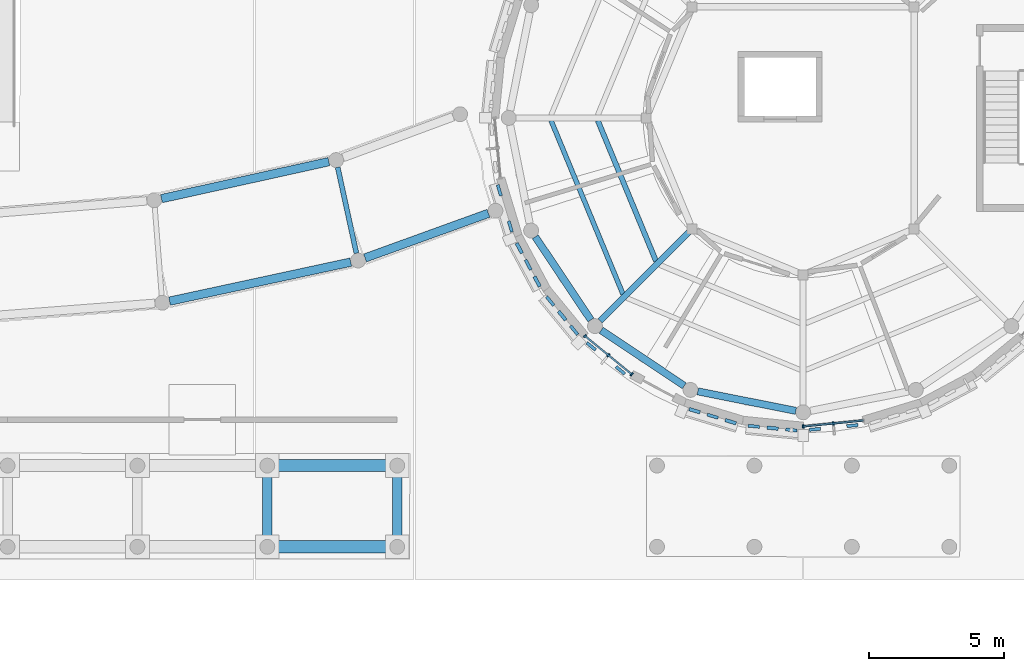
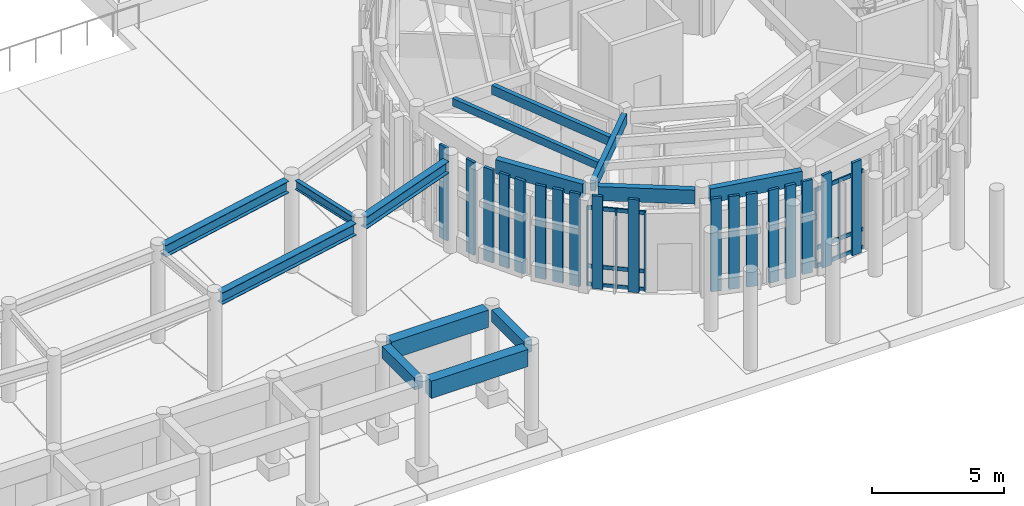
# One storey, part 24 of 94: 29 members, 14 beams, 2 elements without a shape of their own.
"""IFC4 building model written with IfcOpenShell, lengths in metres."""

from ifc_helpers import new_model, si_unit, direction, frame, origin, origin_2d, place, context, subcontext, project, spatial, rectangle, i_section, extrude, material, layer, layer_set, material_profile, profile_set, type_object, element, aggregate, save


model = new_model("IFC4")

# Units and contexts
model_context = context("Model", 3, precision=1e-05, world=origin(), true_north=direction((0.0, 1.0)))
body_context = subcontext(model_context, "Body", "Model", "MODEL_VIEW")
ifc_project = project(units=[si_unit("LENGTHUNIT", "METRE"), si_unit("AREAUNIT", "SQUARE_METRE"), si_unit("VOLUMEUNIT", "CUBIC_METRE"), si_unit("PLANEANGLEUNIT", "RADIAN"), si_unit("MASSUNIT", "GRAM", prefix="KILO")], contexts=[model_context])

# Site, building, storey
site_placement = place(None, origin())
site = spatial("IfcSite", under=ifc_project, at=site_placement, CompositionType="ELEMENT")
building_placement = place(site_placement, origin())
building = spatial("IfcBuilding", under=site, at=building_placement, Name="Aldenvaro Health Centre", CompositionType="ELEMENT")
storey_placement = place(building_placement, origin())
storey = spatial("IfcBuildingStorey", under=building, at=storey_placement, Name="L00", CompositionType="ELEMENT", Elevation=0.0)

# Beams
ifc_material_1 = material(Name="Glulam GL28h", Category="wood")
ifc_material_profile_1 = material_profile(ifc_material_1, rectangle(XDim=0.175048828125, YDim=0.35009765625, at=origin_2d()), Name="GL 175x350", Category="wood")
ifc_profile_set_1 = profile_set([ifc_material_profile_1], Name="Glulam GL28h")
beam_type_1 = type_object("IfcBeamType", Name="BM-GL-350", PredefinedType="JOIST", material=ifc_profile_set_1)
beam_1_placement = place(storey_placement, frame((145.18505859375, 18.40087890625, 4.1298828125), z_axis=(0.382677753705, -0.923881884669, 0.0), x_axis=(0.923881884669, 0.382677753705, 0.0)))
element("IfcBeam", 1, at=beam_1_placement, inside=storey, type_object=beam_type_1, Name="D6 L00 secondary joist 03.2", PredefinedType="JOIST", context=body_context, shape_type="SweptSolid", body=[
    extrude(rectangle(XDim=0.175048828125, YDim=0.35009765625, at=origin_2d()), origin(), (0.0, 0.0, 1.0), 6.94580078125),
])
ifc_material_profile_2 = material_profile(ifc_material_1, rectangle(XDim=0.18994140625, YDim=0.41796875, at=origin_2d()), Name="GL 190x418", Category="wood")
ifc_profile_set_2 = profile_set([ifc_material_profile_2], Name="Glulam GL28h")
beam_type_2 = type_object("IfcBeamType", Name="BM-GL-418", PredefinedType="JOIST", material=ifc_profile_set_2)
beam_2_placement = place(storey_placement, frame((146.912109375, 18.40087890625, 4.095947265625), z_axis=(0.382783729155, -0.923837981842, 0.0), x_axis=(0.923837981842, 0.382783729155, 0.0)))
element("IfcBeam", 2, at=beam_2_placement, inside=storey, type_object=beam_type_2, Name="D6 L00 secondary joist 03.1", PredefinedType="JOIST", context=body_context, shape_type="SweptSolid", body=[
    extrude(rectangle(XDim=0.18994140625, YDim=0.41796875, at=origin_2d()), origin(), (0.0, 0.0, 1.0), 5.624267578125),
])
ifc_material_profile_3 = material_profile(ifc_material_1, rectangle(XDim=0.215087890625, YDim=0.493896484375, at=origin_2d()), Name="GL 215x494", Category="wood")
ifc_profile_set_3 = profile_set([ifc_material_profile_3], Name="Glulam GL28h")
beam_type_3 = type_object("IfcBeamType", Name="BM-GL-494", PredefinedType="BEAM", material=ifc_profile_set_3)
beam_3_placement = place(storey_placement, frame((150.27001953125, 14.27001953125, 4.05810546875), z_axis=(-0.707106781187, -0.707106781187, 0.0), x_axis=(0.707106781187, -0.707106781187, 0.0)))
element("IfcBeam", 3, at=beam_3_placement, inside=storey, type_object=beam_type_3, Name="D6 L00 radial beam 04", PredefinedType="BEAM", context=body_context, shape_type="SweptSolid", body=[
    extrude(rectangle(XDim=0.215087890625, YDim=0.493896484375, at=origin_2d()), origin(), (0.0, 0.0, 1.0), 4.623046875),
])
ifc_material_profile_4 = material_profile(ifc_material_1, rectangle(XDim=0.264892578125, YDim=0.64599609375, at=origin_2d()), Name="GL 265x646", Category="wood")
ifc_profile_set_4 = profile_set([ifc_material_profile_4], Name="Glulam GL28h")
beam_type_4 = type_object("IfcBeamType", Name="BM-GL-646", PredefinedType="SPANDREL", material=ifc_profile_set_4)
for number, where, z_axis, x_axis, name in (
    (4, (144.60107421875, 14.10693359375, 3.98193359375), (0.555752111176, -0.831348056426, 0.0), (0.831348056426, 0.555752111176, 0.0), "D6 L00 perimeter spandrel 10"),
    (5, (147.035888671875, 10.654052734375, 3.98193359375), (0.831348056426, -0.555752111176, 0.0), (0.555752111176, 0.831348056426, 0.0), "D6 L00 perimeter spandrel 11"),
):
    element("IfcBeam", number, at=place(storey_placement, frame(where, z_axis=z_axis, x_axis=x_axis)), inside=storey, type_object=beam_type_4, Name=name, PredefinedType="SPANDREL", context=body_context, shape_type="SweptSolid", body=[
        extrude(rectangle(XDim=0.264892578125, YDim=0.64599609375, at=origin_2d()), origin(), (0.0, 0.0, 1.0), 3.694091796875),
    ])
beam_4_placement = place(storey_placement, frame((150.60595703125, 8.39404296875, 3.98193359375), z_axis=(0.980831465661, -0.194857989237, 0.0), x_axis=(0.194857989237, 0.980831465661, 0.0)))
element("IfcBeam", 6, at=beam_4_placement, inside=storey, type_object=beam_type_4, Name="D6 L00 perimeter spandrel 12", PredefinedType="SPANDREL", context=body_context, shape_type="SweptSolid", body=[
    extrude(rectangle(XDim=0.264892578125, YDim=0.64599609375, at=origin_2d()), origin(), (0.0, 0.0, 1.0), 3.69482421875),
])
ifc_material_2 = material(Name="Concrete f'c 40 MPa", Category="concrete")
ifc_material_profile_5 = material_profile(ifc_material_2, rectangle(XDim=0.35009765625, YDim=0.56005859375, at=origin_2d()), Name="RC 350x560", Category="concrete")
ifc_profile_set_5 = profile_set([ifc_material_profile_5], Name="Concrete f'c 40 MPa")
beam_type_5 = type_object("IfcBeamType", Name="BM-RC-560E", PredefinedType="JOIST", material=ifc_profile_set_5)
for number, where, z_axis, x_axis, name in (
    (7, (134.699951171875, 2.925048828125, 4.1201171875), (0.0, 1.0, 0.0), (-1.0, 0.0, 0.0), "South Stoa E Transverse Beam L00-8"),
    (8, (139.5, 2.925048828125, 4.1201171875), (0.0, 1.0, 0.0), (-1.0, 0.0, 0.0), "South Stoa E Transverse Beam L00-9"),
):
    element("IfcBeam", number, at=place(storey_placement, frame(where, z_axis=z_axis, x_axis=x_axis)), inside=storey, type_object=beam_type_5, Name=name, PredefinedType="JOIST", context=body_context, shape_type="SweptSolid", body=[
        extrude(rectangle(XDim=0.35009765625, YDim=0.56005859375, at=origin_2d()), origin(), (0.0, 0.0, 1.0), 2.449951171875),
    ])
ifc_material_profile_6 = material_profile(ifc_material_2, rectangle(XDim=0.449951171875, YDim=0.800048828125, at=origin_2d()), Name="RC 450x800", Category="concrete")
ifc_profile_set_6 = profile_set([ifc_material_profile_6], Name="Concrete f'c 40 MPa")
beam_type_6 = type_object("IfcBeamType", Name="BM-RC-800", PredefinedType="SPANDREL", material=ifc_profile_set_6)
for number, where, z_axis, x_axis, name in (
    (9, (134.97509765625, 2.64990234375, 4.0), (1.0, 0.0, 0.0), (0.0, 1.0, 0.0), "South Stoa E Classical Architrave L00-8.1"),
    (10, (134.97509765625, 5.64990234375, 4.0), (1.0, 0.0, 0.0), (0.0, 1.0, 0.0), "South Stoa E Classical Architrave L00-8.2"),
):
    element("IfcBeam", number, at=place(storey_placement, frame(where, z_axis=z_axis, x_axis=x_axis)), inside=storey, type_object=beam_type_6, Name=name, PredefinedType="SPANDREL", context=body_context, shape_type="SweptSolid", body=[
        extrude(rectangle(XDim=0.449951171875, YDim=0.800048828125, at=origin_2d()), origin(), (0.0, 0.0, 1.0), 4.25),
    ])
ifc_material_3 = material(Name="Steel ASTM A992 Grade 50", Category="steel")
ifc_material_profile_7 = material_profile(ifc_material_3, i_section(OverallWidth=0.180908203125, OverallDepth=0.4169921875, WebThickness=0.010986328125, FlangeThickness=0.018310546875, at=origin_2d()), Name="W16X57", Category="steel")
ifc_profile_set_7 = profile_set([ifc_material_profile_7], Name="Steel ASTM A992 Grade 50")
beam_type_7 = type_object("IfcBeamType", Name="BM-ST-W16E", PredefinedType="JOIST", material=ifc_profile_set_7)
beam_5_placement = place(storey_placement, frame((137.301025390625, 16.672119140625, 4.091064453125), z_axis=(0.212981858346, -0.977056153972, 0.0), x_axis=(0.977056153972, 0.212981858346, 0.0)))
element("IfcBeam", 11, at=beam_5_placement, inside=storey, type_object=beam_type_7, Name="South East Curved Peristyle Walkway Arc 4 L00 cross beam 2", PredefinedType="JOIST", context=body_context, shape_type="SweptSolid", body=[
    extrude(i_section(OverallWidth=0.180908203125, OverallDepth=0.4169921875, WebThickness=0.010986328125, FlangeThickness=0.018310546875, at=origin_2d()), origin(), (0.0, 0.0, 1.0), 3.24853515625),
])
ifc_material_profile_8 = material_profile(ifc_material_3, i_section(OverallWidth=0.31201171875, OverallDepth=0.54296875, WebThickness=0.0126953125, FlangeThickness=0.020263671875, at=origin_2d()), Name="W21X101", Category="steel")
ifc_profile_set_8 = profile_set([ifc_material_profile_8], Name="Steel ASTM A992 Grade 50")
beam_type_8 = type_object("IfcBeamType", Name="BM-ST-W21E", PredefinedType="BEAM", material=ifc_profile_set_8)
beam_6_placement = place(storey_placement, frame((130.7890625, 15.51611328125, 4.029052734375), z_axis=(0.97646112343, 0.215693473315, 0.0), x_axis=(-0.215693473315, 0.97646112343, 0.0)))
element("IfcBeam", 12, at=beam_6_placement, inside=storey, type_object=beam_type_8, Name="South East Curved Peristyle Walkway Arc 4 L00 girder L-1", PredefinedType="BEAM", context=body_context, shape_type="SweptSolid", body=[
    extrude(i_section(OverallWidth=0.31201171875, OverallDepth=0.54296875, WebThickness=0.0126953125, FlangeThickness=0.020263671875, at=origin_2d()), origin(), (0.0, 0.0, 1.0), 6.3330078125),
])
beam_7_placement = place(storey_placement, frame((131.0869140625, 11.72705078125, 4.029052734375), z_axis=(0.977532997131, 0.210782445949, 0.0), x_axis=(-0.210782445949, 0.977532997131, 0.0)))
element("IfcBeam", 13, at=beam_7_placement, inside=storey, type_object=beam_type_8, Name="South East Curved Peristyle Walkway Arc 4 L00 girder R-1", PredefinedType="BEAM", context=body_context, shape_type="SweptSolid", body=[
    extrude(i_section(OverallWidth=0.31201171875, OverallDepth=0.54296875, WebThickness=0.0126953125, FlangeThickness=0.020263671875, at=origin_2d()), origin(), (0.0, 0.0, 1.0), 6.849853515625),
])
beam_8_placement = place(storey_placement, frame((138.31103515625, 13.322998046875, 4.029052734375), z_axis=(0.940238058324, 0.340517831661, 0.0), x_axis=(-0.340517831661, 0.940238058324, 0.0)))
element("IfcBeam", 14, at=beam_8_placement, inside=storey, type_object=beam_type_8, Name="South East Curved Peristyle Walkway Arc 5 L00 girder R-1", PredefinedType="BEAM", context=body_context, shape_type="SweptSolid", body=[
    extrude(i_section(OverallWidth=0.31201171875, OverallDepth=0.54296875, WebThickness=0.0126953125, FlangeThickness=0.020263671875, at=origin_2d()), origin(), (0.0, 0.0, 1.0), 4.848876953125),
])

# Curtain wall, members
ifc_material_4 = material(Name="Anodised Aluminium 6063-T6", Category="aluminium")
ifc_layer = layer(ifc_material_4, 0.195068359375, Name="Anodised Aluminium 6063-T6", Category="aluminium")
ifc_layer_set = layer_set([ifc_layer], Name="Anodised Aluminium 6063-T6")
curtain_wall_type = type_object("IfcCurtainWallType", Name="CW-CLN-02", PredefinedType="NOTDEFINED", material=ifc_layer_set)
curtain_wall_1_placement = place(storey_placement, origin())
curtain_wall_1 = element("IfcCurtainWall", 15, at=curtain_wall_1_placement, inside=storey, type_object=curtain_wall_type, Name="D6 L00 curtain wall bay 08", PredefinedType="NOTDEFINED")
ifc_material_profile_9 = material_profile(ifc_material_4, rectangle(XDim=0.06005859375, YDim=0.135009765625, at=origin_2d()), Name="ALU 60x135", Category="aluminium")
ifc_profile_set_9 = profile_set([ifc_material_profile_9], Name="Anodised Aluminium 6063-T6")
member_type_1 = type_object("IfcMemberType", Name="CWM-150", PredefinedType="MULLION", material=ifc_profile_set_9)
member_1_placement = place(storey_placement, frame((155.612060546875, 7.2099609375, 0.0), z_axis=(0.0, 0.0, 1.0), x_axis=(-0.995186685493, -0.097997250052, 0.0)))
member_1 = element("IfcMember", 16, at=member_1_placement, type_object=member_type_1, Name="D6 L00 curtain wall bay 08 mullion 2", PredefinedType="MULLION", context=body_context, shape_type="SweptSolid", body=[
    extrude(rectangle(XDim=0.06005859375, YDim=0.135009765625, at=origin_2d()), origin(), (0.0, 0.0, 1.0), 3.658935546875),
])
member_2_placement = place(storey_placement, frame((154.5, 7.10009765625, 0.0), z_axis=(0.0, 0.0, 1.0), x_axis=(-0.995186685493, -0.097997250052, 0.0)))
member_2 = element("IfcMember", 17, at=member_2_placement, type_object=member_type_1, Name="D6 L00 curtain wall bay 08 mullion 3", PredefinedType="MULLION", context=body_context, shape_type="SweptSolid", body=[
    extrude(rectangle(XDim=0.06005859375, YDim=0.135009765625, at=origin_2d()), origin(), (0.0, 0.0, 1.0), 3.658935546875),
])

curtain_wall_2_placement = place(storey_placement, origin())
curtain_wall_2 = element("IfcCurtainWall", 18, at=curtain_wall_2_placement, inside=storey, type_object=curtain_wall_type, Name="D6 L00 curtain wall bay 12", PredefinedType="NOTDEFINED")
member_3_placement = place(storey_placement, frame((148.166015625, 9.02099609375, 0.0), z_axis=(0.0, 0.0, 1.0), x_axis=(-0.772859503767, 0.634577172169, 0.0)))
member_3 = element("IfcMember", 19, at=member_3_placement, type_object=member_type_1, Name="D6 L00 curtain wall bay 12 mullion 1", PredefinedType="MULLION", context=body_context, shape_type="SweptSolid", body=[
    extrude(rectangle(XDim=0.06005859375, YDim=0.135009765625, at=origin_2d()), origin(), (0.0, 0.0, 1.0), 3.658935546875),
])
member_4_placement = place(storey_placement, frame((147.302978515625, 9.72998046875, 0.0), z_axis=(0.0, 0.0, 1.0), x_axis=(-0.772859503767, 0.634577172169, 0.0)))
member_4 = element("IfcMember", 20, at=member_4_placement, type_object=member_type_1, Name="D6 L00 curtain wall bay 12 mullion 2", PredefinedType="MULLION", context=body_context, shape_type="SweptSolid", body=[
    extrude(rectangle(XDim=0.06005859375, YDim=0.135009765625, at=origin_2d()), origin(), (0.0, 0.0, 1.0), 3.658935546875),
])
member_5_placement = place(storey_placement, frame((146.43896484375, 10.43896484375, 0.0), z_axis=(0.0, 0.0, 1.0), x_axis=(-0.772859503767, 0.634577172169, 0.0)))
member_5 = element("IfcMember", 21, at=member_5_placement, type_object=member_type_1, Name="D6 L00 curtain wall bay 12 mullion 3", PredefinedType="MULLION", context=body_context, shape_type="SweptSolid", body=[
    extrude(rectangle(XDim=0.06005859375, YDim=0.135009765625, at=origin_2d()), origin(), (0.0, 0.0, 1.0), 3.658935546875),
])

# Member
ifc_material_profile_10 = material_profile(ifc_material_4, rectangle(XDim=0.06494140625, YDim=0.179931640625, at=origin_2d()), Name="ALU 65x180", Category="aluminium")
ifc_profile_set_10 = profile_set([ifc_material_profile_10], Name="Anodised Aluminium 6063-T6")
member_type_2 = type_object("IfcMemberType", Name="CWT-150", PredefinedType="USERDEFINED", material=ifc_profile_set_10)
member_6_placement = place(storey_placement, frame((156.72412109375, 7.319091796875, 0.06005859375), z_axis=(-0.995187461503, -0.097989369151, 0.0), x_axis=(0.097989369151, -0.995187461503, 0.0)))
member_6 = element("IfcMember", 22, at=member_6_placement, type_object=member_type_2, Name="D6 L00 curtain wall bay 08 transom 1", ObjectType="TRANSOM", PredefinedType="USERDEFINED", context=body_context, shape_type="SweptSolid", body=[
    extrude(rectangle(XDim=0.06494140625, YDim=0.179931640625, at=origin_2d()), origin(), (0.0, 0.0, 1.0), 2.23486328125),
])

member_7_placement = place(storey_placement, frame((156.72412109375, 7.319091796875, 0.89990234375), z_axis=(-0.995187461503, -0.097989369151, 0.0), x_axis=(0.097989369151, -0.995187461503, 0.0)))
member_7 = element("IfcMember", 23, at=member_7_placement, type_object=member_type_2, Name="D6 L00 curtain wall bay 08 transom 2", ObjectType="TRANSOM", PredefinedType="USERDEFINED", context=body_context, shape_type="SweptSolid", body=[
    extrude(rectangle(XDim=0.06494140625, YDim=0.179931640625, at=origin_2d()), origin(), (0.0, 0.0, 1.0), 2.23486328125),
])

member_8_placement = place(storey_placement, frame((156.72412109375, 7.319091796875, 3.59912109375), z_axis=(-0.995187461503, -0.097989369151, 0.0), x_axis=(0.097989369151, -0.995187461503, 0.0)))
member_8 = element("IfcMember", 24, at=member_8_placement, type_object=member_type_2, Name="D6 L00 curtain wall bay 08 transom 3", ObjectType="TRANSOM", PredefinedType="USERDEFINED", context=body_context, shape_type="SweptSolid", body=[
    extrude(rectangle(XDim=0.06494140625, YDim=0.179931640625, at=origin_2d()), origin(), (0.0, 0.0, 1.0), 2.23486328125),
])

aggregate(curtain_wall_1, [member_1, member_2, member_6, member_7, member_8])

member_9_placement = place(storey_placement, frame((148.166015625, 9.02099609375, 0.06005859375), z_axis=(-0.772875513354, 0.63455767339, 0.0), x_axis=(-0.63455767339, -0.772875513354, 0.0)))
member_9 = element("IfcMember", 25, at=member_9_placement, type_object=member_type_2, Name="D6 L00 curtain wall bay 12 transom 1", ObjectType="TRANSOM", PredefinedType="USERDEFINED", context=body_context, shape_type="SweptSolid", body=[
    extrude(rectangle(XDim=0.06494140625, YDim=0.179931640625, at=origin_2d()), origin(), (0.0, 0.0, 1.0), 2.234619140625),
])

member_10_placement = place(storey_placement, frame((148.166015625, 9.02099609375, 0.89990234375), z_axis=(-0.772875513354, 0.63455767339, 0.0), x_axis=(-0.63455767339, -0.772875513354, 0.0)))
member_10 = element("IfcMember", 26, at=member_10_placement, type_object=member_type_2, Name="D6 L00 curtain wall bay 12 transom 2", ObjectType="TRANSOM", PredefinedType="USERDEFINED", context=body_context, shape_type="SweptSolid", body=[
    extrude(rectangle(XDim=0.06494140625, YDim=0.179931640625, at=origin_2d()), origin(), (0.0, 0.0, 1.0), 2.234619140625),
])

member_11_placement = place(storey_placement, frame((148.166015625, 9.02099609375, 3.59912109375), z_axis=(-0.772875513354, 0.63455767339, 0.0), x_axis=(-0.63455767339, -0.772875513354, 0.0)))
member_11 = element("IfcMember", 27, at=member_11_placement, type_object=member_type_2, Name="D6 L00 curtain wall bay 12 transom 3", ObjectType="TRANSOM", PredefinedType="USERDEFINED", context=body_context, shape_type="SweptSolid", body=[
    extrude(rectangle(XDim=0.06494140625, YDim=0.179931640625, at=origin_2d()), origin(), (0.0, 0.0, 1.0), 2.234619140625),
])

aggregate(curtain_wall_2, [member_3, member_4, member_5, member_9, member_10, member_11])

# Members
ifc_material_profile_11 = material_profile(ifc_material_1, rectangle(XDim=0.114990234375, YDim=0.419921875, at=origin_2d()), Name="GL 115x420", Category="wood")
ifc_profile_set_11 = profile_set([ifc_material_profile_11], Name="Glulam GL28h")
member_type_3 = type_object("IfcMemberType", Name="MEM-SLT-420A", PredefinedType="POST", material=ifc_profile_set_11)
for number, where, z_axis, x_axis, name in (
    (28, (156.321044921875, 7.12890625, 0.0), (0.0, 0.0, 1.0), (0.097997250052, -0.995186685493, 0.0), "D6 L00 curtain mullion timber slat 8"),
    (29, (154.93310546875, 6.991943359375, 0.0), (0.0, 0.0, 1.0), (0.097997250052, -0.995186685493, 0.0), "D6 L00 curtain mullion timber slat 8"),
    (30, (154.06494140625, 6.967041015625, 0.0), (0.0, 0.0, 1.0), (-0.097997250052, -0.995186685493, 0.0), "D6 L00 vertical timber slat 9.1"),
    (31, (152.677001953125, 7.10400390625, 0.0), (0.0, 0.0, 1.0), (-0.097997250052, -0.995186685493, 0.0), "D6 L00 vertical timber slat 9.3"),
    (32, (151.156005859375, 7.47607421875, 0.0), (0.0, 0.0, 1.0), (-0.290342622208, -0.956922756407, 0.0), "D6 L00 vertical timber slat 10.2"),
    (33, (147.74609375, 9.172119140625, 0.0), (0.0, 0.0, 1.0), (-0.634577172169, -0.772859503767, 0.0), "D6 L00 curtain mullion timber slat 12"),
    (34, (146.66796875, 10.056884765625, 0.0), (0.0, 0.0, 1.0), (-0.634577172169, -0.772859503767, 0.0), "D6 L00 curtain mullion timber slat 12"),
    (35, (146.037109375, 10.653076171875, 0.0), (0.0, 0.0, 1.0), (-0.772859503767, -0.634577172169, 0.0), "D6 L00 vertical timber slat 13.1"),
    (36, (145.152099609375, 11.72998046875, 0.0), (0.0, 0.0, 1.0), (-0.772859503767, -0.634577172169, 0.0), "D6 L00 vertical timber slat 13.3"),
    (37, (144.340087890625, 13.069091796875, 0.0), (0.0, 0.0, 1.0), (-0.882018256263, -0.471215232797, 0.0), "D6 L00 vertical timber slat 14.2"),
    (38, (143.678955078125, 14.488037109375, 0.0), (0.0, 0.0, 1.0), (-0.956922756407, -0.290342622208, 0.0), "D6 L00 vertical timber slat 15.1"),
    (39, (143.27294921875, 15.822998046875, 0.0), (0.0, 0.0, 1.0), (-0.956922756407, -0.290342622208, 0.0), "D6 L00 vertical timber slat 15.3"),
):
    element("IfcMember", number, at=place(storey_placement, frame(where, z_axis=z_axis, x_axis=x_axis)), inside=storey, type_object=member_type_3, Name=name, PredefinedType="POST", context=body_context, shape_type="SweptSolid", body=[
        extrude(rectangle(XDim=0.114990234375, YDim=0.419921875, at=origin_2d()), origin(), (0.0, 0.0, 1.0), 4.304931640625),
    ])
ifc_material_profile_12 = material_profile(ifc_material_1, rectangle(XDim=0.1298828125, YDim=0.419921875, at=origin_2d()), Name="GL 130x420", Category="wood")
ifc_profile_set_12 = profile_set([ifc_material_profile_12], Name="Glulam GL28h")
member_type_4 = type_object("IfcMemberType", Name="MEM-SLT-420B", PredefinedType="POST", material=ifc_profile_set_12)
for number, where, z_axis, x_axis, name in (
    (40, (153.37109375, 7.034912109375, 0.0), (0.0, 0.0, 1.0), (-0.097997250052, -0.995186685493, 0.0), "D6 L00 vertical timber slat 9.2"),
    (41, (151.822998046875, 7.27294921875, 0.0), (0.0, 0.0, 1.0), (-0.290342622208, -0.956922756407, 0.0), "D6 L00 vertical timber slat 10.1"),
    (42, (150.488037109375, 7.678955078125, 0.0), (0.0, 0.0, 1.0), (-0.290342622208, -0.956922756407, 0.0), "D6 L00 vertical timber slat 10.3"),
    (43, (145.594970703125, 11.19091796875, 0.0), (0.0, 0.0, 1.0), (-0.772859503767, -0.634577172169, 0.0), "D6 L00 vertical timber slat 13.2"),
    (44, (144.6689453125, 12.4541015625, 0.0), (0.0, 0.0, 1.0), (-0.882018256263, -0.471215232797, 0.0), "D6 L00 vertical timber slat 14.1"),
    (45, (144.011962890625, 13.68408203125, 0.0), (0.0, 0.0, 1.0), (-0.882018256263, -0.471215232797, 0.0), "D6 L00 vertical timber slat 14.3"),
):
    element("IfcMember", number, at=place(storey_placement, frame(where, z_axis=z_axis, x_axis=x_axis)), inside=storey, type_object=member_type_4, Name=name, PredefinedType="POST", context=body_context, shape_type="SweptSolid", body=[
        extrude(rectangle(XDim=0.1298828125, YDim=0.419921875, at=origin_2d()), origin(), (0.0, 0.0, 1.0), 4.304931640625),
    ])

save(model, "model.ifc")
